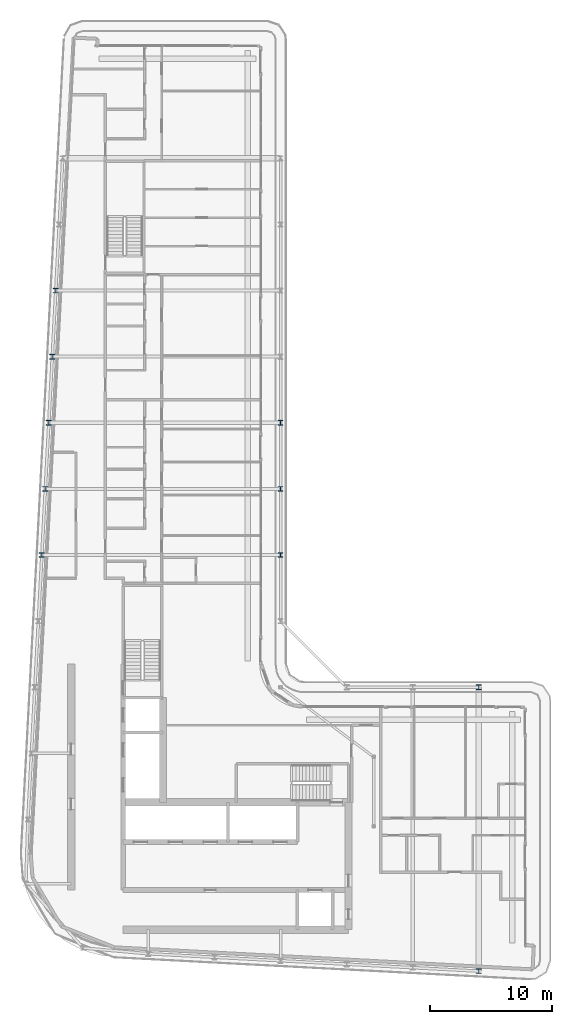
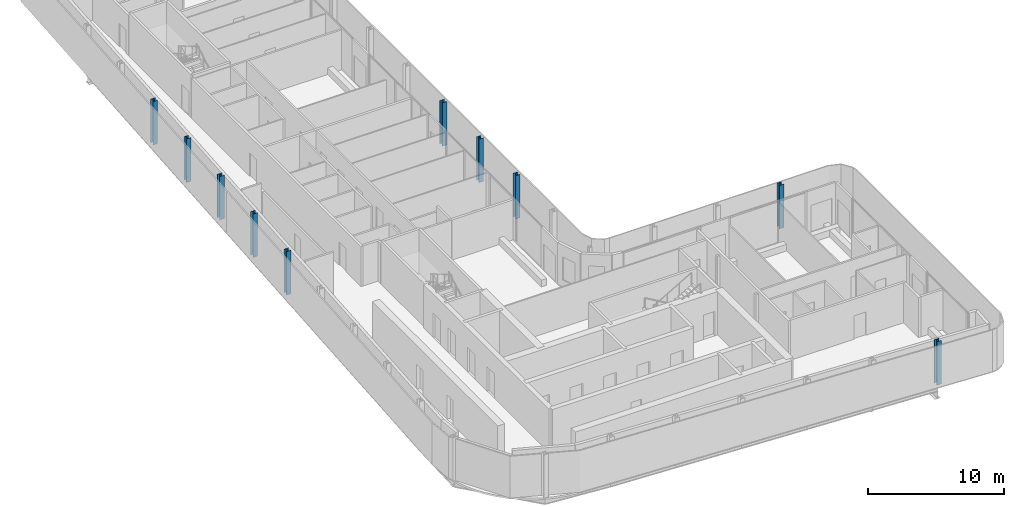
# One storey, part 3 of 21: 10 columns.
"""IFC4 building model written with IfcOpenShell, lengths in metres."""

import ifcopenshell
import ifcopenshell.guid

model = None  # the IFC model being written
_history = None  # IfcOwnerHistory: only IFC2X3 demands one
_inside = {}  # id of a spatial element -> (the spatial element, [elements in it])
_under = {}  # id of a project, library or spatial element -> (it, [spatial elements below it])
_declared = {}  # id of a project -> (the project, [libraries it declares])
_typed = {}  # id of a type object -> (the type object, [elements of that type])
_made_of = {}  # id of a material, layer set ... -> (it, [elements and type objects made of it])


def new_model(schema):
    """Start an empty IFC model of exactly this schema.

    Asked for "IFC4X3", IfcOpenShell would pick the latest addendum, in which some entities
    have other attributes; the version numbers below select the first issue.
    IFC2X3 requires an IfcOwnerHistory on every rooted entity: one is made here for all.
    """
    global model, _history
    if schema == "IFC4X3":
        model = ifcopenshell.file(schema_version=(4, 3, 0, 0))
    else:
        model = ifcopenshell.file(schema=schema)
    _inside.clear()
    _under.clear()
    _declared.clear()
    _typed.clear()
    _made_of.clear()
    _history = None
    if model.schema == "IFC2X3":
        org = make("IfcOrganization", Name="unknown")
        user = make(
            "IfcPersonAndOrganization",
            ThePerson=make("IfcPerson", FamilyName="unknown"),
            TheOrganization=org,
        )
        app = make(
            "IfcApplication",
            ApplicationDeveloper=org,
            Version="unknown",
            ApplicationFullName="unknown",
            ApplicationIdentifier="unknown",
        )
        _history = make(
            "IfcOwnerHistory",
            OwningUser=user,
            OwningApplication=app,
            ChangeAction="ADDED",
            CreationDate=0,
        )
    return model


def make(cls, **values):
    """One entity of the class cls with the attributes given. An attribute that is None is left unset."""
    return model.create_entity(
        cls, **{name: value for name, value in values.items() if value is not None}
    )


def rooted(cls, **values):
    """An entity with a GlobalId (a new one), such as an element, a storey or a relation."""
    return make(cls, GlobalId=ifcopenshell.guid.new(), OwnerHistory=_history, **values)


def si_unit(unit_type, name, prefix=None):
    """IfcSIUnit, for example si_unit("LENGTHUNIT", "METRE", prefix="MILLI")."""
    return make("IfcSIUnit", UnitType=unit_type, Prefix=prefix, Name=name)


def assignment(units):
    """IfcUnitAssignment: the units of a project."""
    return None if units is None else make("IfcUnitAssignment", Units=units)


def point(xyz):
    """IfcCartesianPoint."""
    return None if xyz is None else make("IfcCartesianPoint", Coordinates=xyz)


def direction(xyz):
    """IfcDirection."""
    return None if xyz is None else make("IfcDirection", DirectionRatios=xyz)


def frame(location, z_axis=None, x_axis=None):
    """IfcAxis2Placement3D, a coordinate frame: its origin and axes. An axis left out is left unset."""
    return make(
        "IfcAxis2Placement3D",
        Location=point(location),
        Axis=direction(z_axis),
        RefDirection=direction(x_axis),
    )


def frame_2d(location, x_axis=None):
    """IfcAxis2Placement2D, a coordinate frame in the plane: its origin and x axis."""
    return make(
        "IfcAxis2Placement2D", Location=point(location), RefDirection=direction(x_axis)
    )


def origin():
    """The frame at (0, 0, 0) with its axes left unset."""
    return frame((0.0, 0.0, 0.0))


def origin_2d():
    """The frame at (0, 0) in the plane with its x axis left unset."""
    return frame_2d((0.0, 0.0))


def place(relative_to, where):
    """IfcLocalPlacement: puts the frame where relative to a parent placement (None: the world)."""
    return make(
        "IfcLocalPlacement", PlacementRelTo=relative_to, RelativePlacement=where
    )


def context(
    kind, dimensions, precision=None, world=None, true_north=None, identifier=None
):
    """IfcGeometricRepresentationContext, for example the 3D "Model" context."""
    return make(
        "IfcGeometricRepresentationContext",
        ContextIdentifier=identifier,
        ContextType=kind,
        CoordinateSpaceDimension=dimensions,
        Precision=precision,
        WorldCoordinateSystem=world,
        TrueNorth=true_north,
    )


def subcontext(parent, identifier, kind, view, scale=None):
    """IfcGeometricRepresentationSubContext, for example "Body" below "Model"."""
    return make(
        "IfcGeometricRepresentationSubContext",
        ContextIdentifier=identifier,
        ContextType=kind,
        ParentContext=parent,
        TargetScale=scale,
        TargetView=view,
    )


def project(units=None, contexts=None):
    """IfcProject with its units and contexts."""
    return rooted(
        "IfcProject",
        Name="project",
        RepresentationContexts=contexts,
        UnitsInContext=assignment(units),
    )


def spatial(cls, under=None, at=None, **own):
    """A site, building, storey or space (cls), placed at a placement, below another one or the project."""
    s = rooted(cls, ObjectPlacement=at, **own)
    if under is not None:
        _under.setdefault(under.id(), (under, []))[1].append(s)
    return s


def profile(cls, at=None, kind="AREA", **sizes):
    """A parametric profile (cls). Its sizes go by their IFC names, for example OverallWidth=200.0."""
    return make(cls, ProfileType=kind, Position=at, **sizes)


def i_section(**sizes):
    """IfcIShapeProfileDef."""
    return profile("IfcIShapeProfileDef", **sizes)


def extrude(swept, where, along, depth):
    """IfcExtrudedAreaSolid: the profile swept, set in the frame where, extruded along a direction by depth."""
    return make(
        "IfcExtrudedAreaSolid",
        SweptArea=swept,
        Position=where,
        ExtrudedDirection=direction(along),
        Depth=depth,
    )


def shape(context_of_items, identifier, shape_type, items):
    """IfcShapeRepresentation: the items that make up one representation, for example the "Body"."""
    return make(
        "IfcShapeRepresentation",
        ContextOfItems=context_of_items,
        RepresentationIdentifier=identifier,
        RepresentationType=shape_type,
        Items=items,
    )


def material(Name=None, Category=None):
    """IfcMaterial."""
    return make("IfcMaterial", Name=Name, Category=Category)


def material_profile(
    of_material, cross_section, Name=None, Category=None, Priority=None
):
    """IfcMaterialProfile: a cross section and its material."""
    return make(
        "IfcMaterialProfile",
        Name=Name,
        Material=of_material,
        Profile=cross_section,
        Priority=Priority,
        Category=Category,
    )


def profile_set(profiles, Name=None, composite=None):
    """IfcMaterialProfileSet."""
    return make(
        "IfcMaterialProfileSet",
        Name=Name,
        MaterialProfiles=profiles,
        CompositeProfile=composite,
    )


def made_of(thing, what):
    """Note that an element or type object is made of a material, layer set ...; save() writes the relation."""
    if what is not None:
        _made_of.setdefault(what.id(), (what, []))[1].append(thing)
    return thing


def type_object(cls, material=None, **own):
    """A type object (cls), such as IfcWallType, which elements share."""
    return made_of(rooted(cls, **own), material)


def element(
    cls,
    number,
    at=None,
    inside=None,
    cuts=None,
    type_object=None,
    material=None,
    context=None,
    identifier="Body",
    shape_type=None,
    held_by="IfcProductDefinitionShape",
    body=None,
    shapes=None,
    **own,
):
    """One element of the class cls, such as IfcWall. Its Tag is "e" and its number.

    at: its placement. inside: the storey or other place that contains it. cuts: it is an
    opening in that element (IfcRelVoidsElement). A single representation is given by context,
    identifier, shape_type and body (its items); several are given by shapes. held_by: the class
    of the entity that holds the representations. save() writes the other relations.
    """
    e = rooted(cls, Tag="e%d" % number, ObjectPlacement=at, **own)
    if body is not None:
        shapes = [shape(context, identifier, shape_type, body)]
    if shapes is not None:
        e.Representation = make(held_by, Representations=shapes)
    if inside is not None:
        _inside.setdefault(inside.id(), (inside, []))[1].append(e)
    if cuts is not None:
        rooted(
            "IfcRelVoidsElement", RelatingBuildingElement=cuts, RelatedOpeningElement=e
        )
    if type_object is not None:
        _typed.setdefault(type_object.id(), (type_object, []))[1].append(e)
    return made_of(e, material)


def aggregate(whole, parts):
    """IfcRelAggregates: a whole, such as a stair, and the parts it consists of."""
    return rooted("IfcRelAggregates", RelatingObject=whole, RelatedObjects=parts)


def save(model, path):
    """Write the relations noted so far, then the file.

    IfcRelAggregates (storeys below a building ...), IfcRelContainedInSpatialStructure (elements
    in a storey), IfcRelDefinesByType, IfcRelAssociatesMaterial and IfcRelDeclares: one each for
    every whole, place, type object, material and project.
    """
    for whole, parts in _under.values():
        aggregate(whole, parts)
    for where, things in _inside.values():
        rooted(
            "IfcRelContainedInSpatialStructure",
            RelatedElements=things,
            RelatingStructure=where,
        )
    for kind, things in _typed.values():
        rooted("IfcRelDefinesByType", RelatedObjects=things, RelatingType=kind)
    for what, things in _made_of.values():
        rooted("IfcRelAssociatesMaterial", RelatedObjects=things, RelatingMaterial=what)
    for by, libraries in _declared.values():
        rooted("IfcRelDeclares", RelatingContext=by, RelatedDefinitions=libraries)
    model.write(path)


model = new_model("IFC4")

# Units and contexts
model_context = context("Model", 3, precision=1e-05, world=origin(), true_north=direction((0.0, 1.0)))
body_context = subcontext(model_context, "Body", "Model", "MODEL_VIEW")
ifc_project = project(units=[si_unit("LENGTHUNIT", "METRE"), si_unit("AREAUNIT", "SQUARE_METRE"), si_unit("VOLUMEUNIT", "CUBIC_METRE"), si_unit("PLANEANGLEUNIT", "RADIAN"), si_unit("MASSUNIT", "GRAM", prefix="KILO")], contexts=[model_context])

# Site, building, storey
site_placement = place(None, origin())
site = spatial("IfcSite", under=ifc_project, at=site_placement, CompositionType="ELEMENT")
building_placement = place(site_placement, origin())
building = spatial("IfcBuilding", under=site, at=building_placement, Name="Kheshtan School and Residences Tower", CompositionType="ELEMENT")
storey_placement = place(building_placement, frame((0.0, 0.0, 305.89990234375)))
storey = spatial("IfcBuildingStorey", under=building, at=storey_placement, Name="L72", CompositionType="ELEMENT", Elevation=305.89990234375)

# Columns
ifc_material = material(Name="Steel ASTM A992 Grade 50", Category="steel")
ifc_material_profile = material_profile(ifc_material, i_section(OverallWidth=0.39501953125, OverallDepth=0.3798828125, WebThickness=0.018798828125, FlangeThickness=0.0302734375, FilletRadius=0.011474609375, at=origin_2d()), Name="W360x237")
ifc_profile_set = profile_set([ifc_material_profile], Name="Steel ASTM A992 Grade 50")
column_type = type_object("IfcColumnType", Name="Column C5 W360x237 ASTM A992 Grade 50", PredefinedType="COLUMN", material=ifc_profile_set)
for number, where, z_axis, x_axis, name in (
    (1, (63.800048828125, 22.410888671875, 0.0), (0.0, 0.0, 1.0), (1.0, 0.0, 0.0), "Column C016"),
    (2, (63.800048828125, 45.60009765625, 0.0), (0.0, 0.0, 1.0), (1.0, 0.0, 0.0), "Column C063"),
    (3, (28.10595703125, 56.39990234375, 0.0), (0.0, 0.0, 1.0), (1.0, 0.0, 0.0), "Column C080"),
    (4, (47.60009765625, 56.39990234375, 0.0), (0.0, 0.0, 1.0), (1.0, 0.0, 0.0), "Column C081"),
    (5, (28.389892578125, 61.800048828125, 0.0), (0.0, 0.0, 1.0), (1.0, 0.0, 0.0), "Column C082"),
    (6, (47.60009765625, 61.800048828125, 0.0), (0.0, 0.0, 1.0), (1.0, 0.0, 0.0), "Column C083"),
    (7, (28.674072265625, 67.199951171875, 0.0), (0.0, 0.0, 1.0), (1.0, 0.0, 0.0), "Column C084"),
    (8, (47.60009765625, 67.199951171875, 0.0), (0.0, 0.0, 1.0), (1.0, 0.0, 0.0), "Column C085"),
    (9, (28.9580078125, 72.60009765625, 0.0), (0.0, 0.0, 1.0), (1.0, 0.0, 0.0), "Column C086"),
    (10, (29.242919921875, 78.0, 0.0), (0.0, 0.0, 1.0), (1.0, 0.0, 0.0), "Column C088"),
):
    element("IfcColumn", number, at=place(storey_placement, frame(where, z_axis=z_axis, x_axis=x_axis)), inside=storey, type_object=column_type, Name=name, PredefinedType="COLUMN", context=body_context, shape_type="SweptSolid", body=[
        extrude(i_section(OverallWidth=0.39501953125, OverallDepth=0.3798828125, WebThickness=0.018798828125, FlangeThickness=0.0302734375, FilletRadius=0.011474609375, at=origin_2d()), origin(), (0.0, 0.0, 1.0), 3.900146484375),
    ])

save(model, "model.ifc")
